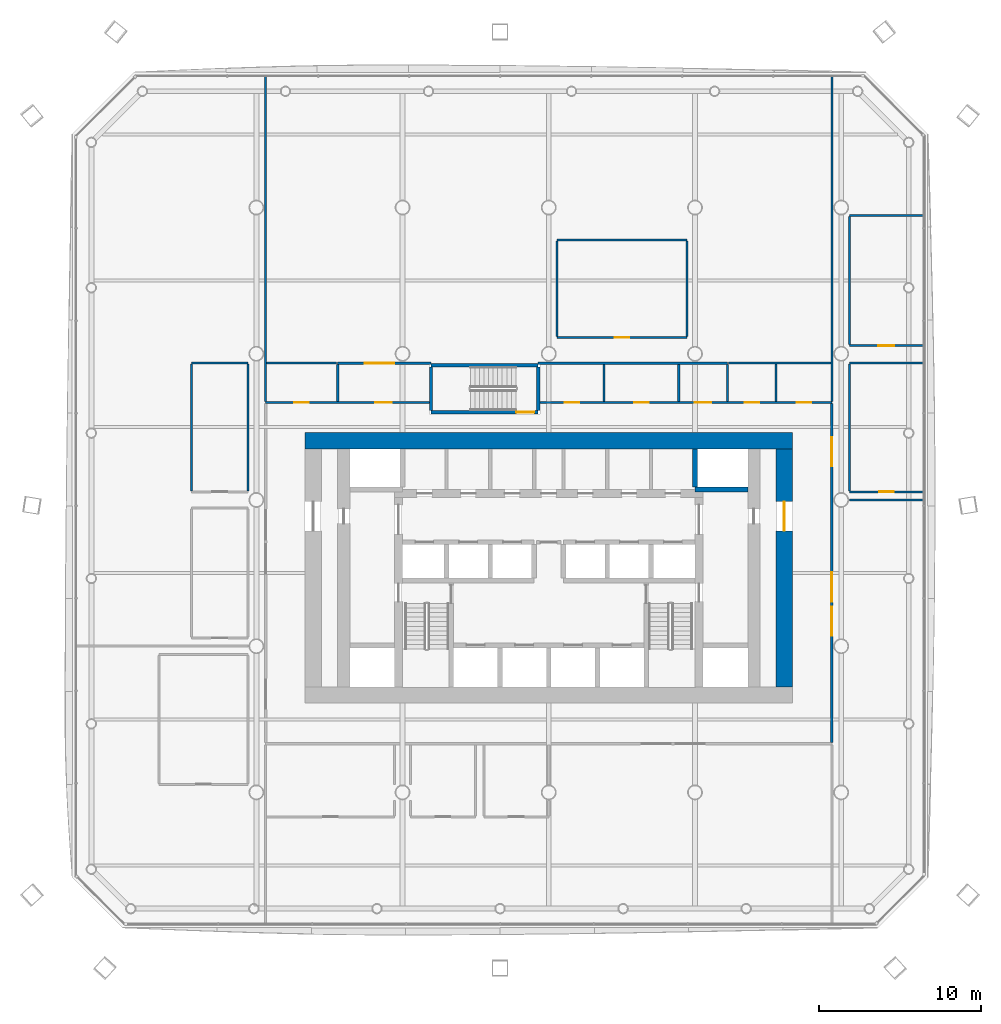
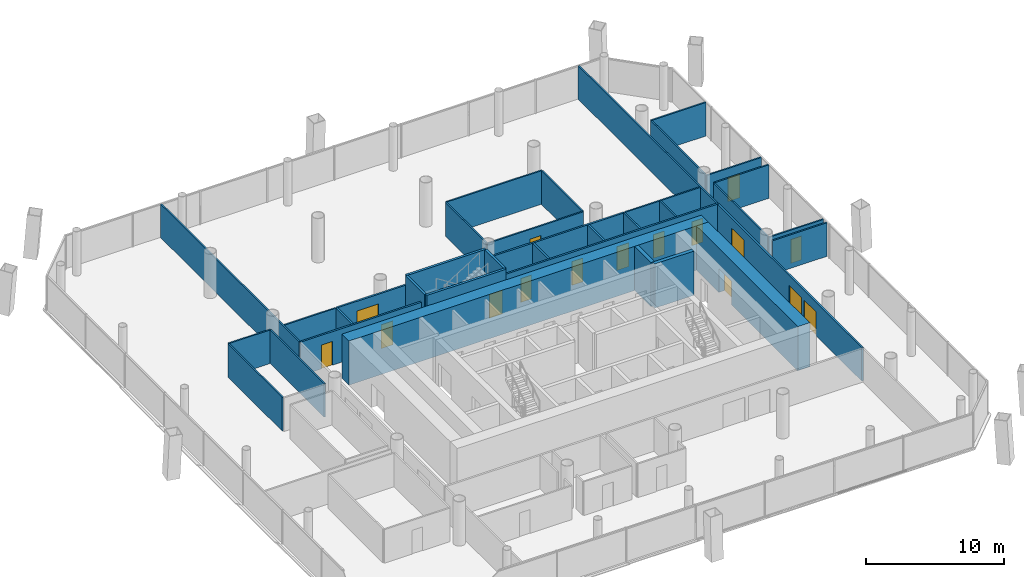
# One storey, part 14 of 20: 36 walls, 16 doors, 16 openings.
"""IFC4 building model written with IfcOpenShell, lengths in metres."""

from ifc_helpers import new_model, si_unit, direction, frame, frame_2d, origin, place, context, subcontext, project, spatial, rectangle, extrude, material, layer, layer_set, type_object, element, fill, save


model = new_model("IFC4")

# Units and contexts
model_context = context("Model", 3, precision=1e-05, world=origin(), true_north=direction((0.0, 1.0)))
body_context = subcontext(model_context, "Body", "Model", "MODEL_VIEW")
ifc_project = project(units=[si_unit("LENGTHUNIT", "METRE"), si_unit("AREAUNIT", "SQUARE_METRE"), si_unit("VOLUMEUNIT", "CUBIC_METRE"), si_unit("PLANEANGLEUNIT", "RADIAN"), si_unit("MASSUNIT", "GRAM", prefix="KILO")], contexts=[model_context])

# Site, building, storey
site_placement = place(None, origin())
site = spatial("IfcSite", under=ifc_project, at=site_placement, CompositionType="ELEMENT")
building_placement = place(site_placement, origin())
building = spatial("IfcBuilding", under=site, at=building_placement, Name="Tskaro Facet Tower", CompositionType="ELEMENT")
storey_placement = place(building_placement, frame((0.0, 0.0, 53.699951171875)))
storey = spatial("IfcBuildingStorey", under=building, at=storey_placement, Name="L12", CompositionType="ELEMENT", Elevation=53.699951171875)

# Walls
ifc_material_1 = material(Name="Concrete C60/75", Category="concrete")
ifc_layer_1 = layer(ifc_material_1, 0.300048828125, Name="Concrete C60/75")
ifc_layer_set_1 = layer_set([ifc_layer_1], Name="Concrete C60/75")
wall_type_1 = type_object("IfcWallType", Name="CORE-SHAFT", PredefinedType="SHEAR", material=ifc_layer_set_1)
wall_1_placement = place(storey_placement, frame((12.25, 0.64990234375, 0.0), z_axis=(0.0, 0.0, 1.0), x_axis=(-1.0, 0.0, 0.0)))
element("IfcWall", 1, at=wall_1_placement, inside=storey, type_object=wall_type_1, Name="Shaft wall W022", PredefinedType="SHEAR", context=body_context, shape_type="SweptSolid", body=[
    extrude(rectangle(XDim=3.25, YDim=0.300048828125, at=frame_2d((1.625, 0.0))), origin(), (0.0, 0.0, 1.0), 3.900146484375),
])
wall_2_placement = place(storey_placement, frame((9.0, 0.800048828125, 0.0), z_axis=(0.0, 0.0, 1.0), x_axis=(0.0, 1.0, 0.0)))
element("IfcWall", 2, at=wall_2_placement, inside=storey, type_object=wall_type_1, Name="Shaft wall W079", PredefinedType="SHEAR", context=body_context, shape_type="SweptSolid", body=[
    extrude(rectangle(XDim=2.349853515625, YDim=0.300048828125, at=frame_2d((1.1748046875, 0.0))), origin(), (0.0, 0.0, 1.0), 3.900146484375),
])
ifc_layer_2 = layer(ifc_material_1, 1.0, Name="Concrete C60/75")
ifc_layer_set_2 = layer_set([ifc_layer_2], Name="Concrete C60/75")
wall_type_2 = type_object("IfcWallType", Name="Core wall 1000", PredefinedType="SHEAR", material=ifc_layer_set_2)
wall_3_placement = place(storey_placement, frame((-15.0, 3.64990234375, 0.0), z_axis=(0.0, 0.0, 1.0), x_axis=(1.0, 0.0, 0.0)))
element("IfcWall", 3, at=wall_3_placement, inside=storey, type_object=wall_type_2, Name="Core wall CW-Z1N", PredefinedType="SHEAR", context=body_context, shape_type="SweptSolid", body=[
    extrude(rectangle(XDim=30.0, YDim=1.0, at=frame_2d((15.0, 0.0))), origin(), (0.0, 0.0, 1.0), 3.900146484375),
])

# Wall, opening, door
wall_4_placement = place(storey_placement, frame((14.5, -11.5, 0.0), z_axis=(0.0, 0.0, 1.0), x_axis=(0.0, 1.0, 0.0)))
wall_4 = element("IfcWall", 4, at=wall_4_placement, inside=storey, type_object=wall_type_2, Name="Core wall CW-Z1E", PredefinedType="SHEAR", context=body_context, shape_type="SweptSolid", body=[
    extrude(rectangle(XDim=14.64990234375, YDim=1.0, at=frame_2d((7.324951171875, 0.0))), origin(), (0.0, 0.0, 1.0), 3.900146484375),
])
opening_1_placement = place(wall_4_placement, frame((9.60009765625, 0.0, 0.0)))
opening_1 = element("IfcOpeningElement", 5, at=opening_1_placement, cuts=wall_4, Name="Opening T3-D20", PredefinedType="OPENING", context=body_context, shape_type="SweptSolid", body=[
    extrude(rectangle(XDim=1.800048828125, YDim=2.10009765625, at=frame_2d((0.89990234375, 1.050048828125))), frame((0.0, 0.510009765625, 0.0), z_axis=(0.0, -1.0, 0.0), x_axis=(1.0, 0.0, 0.0)), (0.0, 0.0, 1.0), 1.02001953125),
])
ifc_material_2 = material(Name="Steel", Category="steel")
door_type_1 = type_object("IfcDoorType", Name="D-CORE-PAIR", OperationType="NOTDEFINED", PredefinedType="DOOR", material=ifc_material_2)
door_1_placement = place(opening_1_placement, origin())
door_1 = element("IfcDoor", 6, at=door_1_placement, inside=storey, type_object=door_type_1, Name="Door T3-D20", OperationType="DOUBLE_DOOR_SINGLE_SWING", OverallHeight=2.10009765625, OverallWidth=1.800048828125, PredefinedType="DOOR", context=body_context, shape_type="SweptSolid", body=[
    extrude(rectangle(XDim=1.800048828125, YDim=2.10009765625, at=frame_2d((0.89990234375, 1.050048828125))), frame((0.0, 0.02490234375, 0.0), z_axis=(0.0, -1.0, 0.0), x_axis=(1.0, 0.0, 0.0)), (0.0, 0.0, 1.0), 0.050048828125),
])
fill(opening_1, door_1)

# Wall
ifc_material_3 = material(Name="Gypsum board on steel studs", Category="steel")
ifc_layer_3 = layer(ifc_material_3, 0.125, Name="Gypsum board on steel studs")
ifc_layer_set_3 = layer_set([ifc_layer_3], Name="Gypsum board on steel studs")
wall_type_3 = type_object("IfcWallType", Name="PART", PredefinedType="PARTITIONING", material=ifc_layer_set_3)
wall_5_placement = place(storey_placement, frame((18.5, 0.0, 0.0), z_axis=(0.0, 0.0, 1.0), x_axis=(1.0, 0.0, 0.0)))
element("IfcWall", 7, at=wall_5_placement, inside=storey, type_object=wall_type_3, Name="Partition W018", PredefinedType="PARTITIONING", context=body_context, shape_type="SweptSolid", body=[
    extrude(rectangle(XDim=4.556884765625, YDim=0.125, at=frame_2d((2.2783203125, 0.0))), origin(), (0.0, 0.0, 1.0), 2.9599609375),
])

# Wall, opening, door
wall_6_placement = place(storey_placement, frame((18.5, 0.5, 0.0), z_axis=(0.0, 0.0, 1.0), x_axis=(1.0, 0.0, 0.0)))
wall_6 = element("IfcWall", 8, at=wall_6_placement, inside=storey, type_object=wall_type_3, Name="Partition W020", PredefinedType="PARTITIONING", context=body_context, shape_type="SweptSolid", body=[
    extrude(rectangle(XDim=4.556884765625, YDim=0.125, at=frame_2d((2.2783203125, 0.0))), origin(), (0.0, 0.0, 1.0), 2.9599609375),
])
opening_2_placement = place(wall_6_placement, frame((1.82861328125, 0.0, 0.0)))
opening_2 = element("IfcOpeningElement", 9, at=opening_2_placement, cuts=wall_6, Name="Opening T3-D29", PredefinedType="OPENING", context=body_context, shape_type="SweptSolid", body=[
    extrude(rectangle(XDim=0.89990234375, YDim=2.10009765625, at=frame_2d((0.449951171875, 1.050048828125))), frame((0.0, 0.072509765625, 0.0), z_axis=(0.0, -1.0, 0.0), x_axis=(1.0, 0.0, 0.0)), (0.0, 0.0, 1.0), 0.14501953125),
])
ifc_material_4 = material(Name="Timber", Category="wood")
door_type_2 = type_object("IfcDoorType", Name="D-ROOM", OperationType="NOTDEFINED", PredefinedType="DOOR", material=ifc_material_4)
door_2_placement = place(opening_2_placement, origin())
door_2 = element("IfcDoor", 10, at=door_2_placement, inside=storey, type_object=door_type_2, Name="Door T3-D29", OperationType="SINGLE_SWING_LEFT", OverallHeight=2.10009765625, OverallWidth=0.89990234375, PredefinedType="DOOR", context=body_context, shape_type="SweptSolid", body=[
    extrude(rectangle(XDim=0.89990234375, YDim=2.10009765625, at=frame_2d((0.449951171875, 1.050048828125))), frame((0.0, 0.02490234375, 0.0), z_axis=(0.0, -1.0, 0.0), x_axis=(1.0, 0.0, 0.0)), (0.0, 0.0, 1.0), 0.050048828125),
])
fill(opening_2, door_2)

# Walls
wall_7_placement = place(storey_placement, frame((-22.0, 8.425048828125, 0.0), z_axis=(0.0, 0.0, 1.0), x_axis=(1.0, 0.0, 0.0)))
element("IfcWall", 11, at=wall_7_placement, inside=storey, type_object=wall_type_3, Name="Partition W027", PredefinedType="PARTITIONING", context=body_context, shape_type="SweptSolid", body=[
    extrude(rectangle(XDim=3.5, YDim=0.125, at=frame_2d((1.75, 0.0))), origin(), (0.0, 0.0, 1.0), 2.9599609375),
])
wall_8_placement = place(storey_placement, frame((-17.362548828125, 8.425048828125, 0.0), z_axis=(0.0, 0.0, 1.0), x_axis=(1.0, 0.0, 0.0)))
element("IfcWall", 12, at=wall_8_placement, inside=storey, type_object=wall_type_3, Name="Partition W028", PredefinedType="PARTITIONING", context=body_context, shape_type="SweptSolid", body=[
    extrude(rectangle(XDim=4.28759765625, YDim=0.125, at=frame_2d((2.143798828125, 0.0))), origin(), (0.0, 0.0, 1.0), 2.9599609375),
])
wall_9_placement = place(storey_placement, frame((11.074951171875, 8.425048828125, 0.0), z_axis=(0.0, 0.0, 1.0), x_axis=(1.0, 0.0, 0.0)))
element("IfcWall", 13, at=wall_9_placement, inside=storey, type_object=wall_type_3, Name="Partition W031", PredefinedType="PARTITIONING", context=body_context, shape_type="SweptSolid", body=[
    extrude(rectangle(XDim=6.28759765625, YDim=0.125, at=frame_2d((3.143798828125, 0.0))), origin(), (0.0, 0.0, 1.0), 2.9599609375),
])
wall_10_placement = place(storey_placement, frame((18.5, 8.425048828125, 0.0), z_axis=(0.0, 0.0, 1.0), x_axis=(1.0, 0.0, 0.0)))
element("IfcWall", 14, at=wall_10_placement, inside=storey, type_object=wall_type_3, Name="Partition W032", PredefinedType="PARTITIONING", context=body_context, shape_type="SweptSolid", body=[
    extrude(rectangle(XDim=4.556884765625, YDim=0.125, at=frame_2d((2.2783203125, 0.0))), origin(), (0.0, 0.0, 1.0), 2.9599609375),
])

# Wall, opening, door
wall_11_placement = place(storey_placement, frame((18.5, 9.5, 0.0), z_axis=(0.0, 0.0, 1.0), x_axis=(1.0, 0.0, 0.0)))
wall_11 = element("IfcWall", 15, at=wall_11_placement, inside=storey, type_object=wall_type_3, Name="Partition W033", PredefinedType="PARTITIONING", context=body_context, shape_type="SweptSolid", body=[
    extrude(rectangle(XDim=4.556884765625, YDim=0.125, at=frame_2d((2.2783203125, 0.0))), origin(), (0.0, 0.0, 1.0), 2.9599609375),
])
opening_3_placement = place(wall_11_placement, frame((1.778564453125, 0.0, 0.0)))
opening_3 = element("IfcOpeningElement", 16, at=opening_3_placement, cuts=wall_11, Name="Opening T3-D41", PredefinedType="OPENING", context=body_context, shape_type="SweptSolid", body=[
    extrude(rectangle(XDim=1.0, YDim=2.10009765625, at=frame_2d((0.5, 1.050048828125))), frame((0.0, 0.072509765625, 0.0), z_axis=(0.0, -1.0, 0.0), x_axis=(1.0, 0.0, 0.0)), (0.0, 0.0, 1.0), 0.14501953125),
])
door_type_3 = type_object("IfcDoorType", Name="D-ROOM-WIDE", OperationType="NOTDEFINED", PredefinedType="DOOR", material=ifc_material_4)
door_3_placement = place(opening_3_placement, origin())
door_3 = element("IfcDoor", 17, at=door_3_placement, inside=storey, type_object=door_type_3, Name="Door T3-D41", OperationType="SINGLE_SWING_LEFT", OverallHeight=2.10009765625, OverallWidth=1.0, PredefinedType="DOOR", context=body_context, shape_type="SweptSolid", body=[
    extrude(rectangle(XDim=1.0, YDim=2.10009765625, at=frame_2d((0.5, 1.050048828125))), frame((0.0, 0.02490234375, 0.0), z_axis=(0.0, -1.0, 0.0), x_axis=(1.0, 0.0, 0.0)), (0.0, 0.0, 1.0), 0.050048828125),
])
fill(opening_3, door_3)

wall_12_placement = place(storey_placement, frame((0.5, 10.0, 0.0), z_axis=(0.0, 0.0, 1.0), x_axis=(1.0, 0.0, 0.0)))
wall_12 = element("IfcWall", 18, at=wall_12_placement, inside=storey, type_object=wall_type_3, Name="Partition W034", PredefinedType="PARTITIONING", context=body_context, shape_type="SweptSolid", body=[
    extrude(rectangle(XDim=8.0, YDim=0.125, at=frame_2d((4.0, 0.0))), origin(), (0.0, 0.0, 1.0), 2.9599609375),
])
opening_4_placement = place(wall_12_placement, frame((3.550048828125, 0.0, 0.0)))
opening_4 = element("IfcOpeningElement", 19, at=opening_4_placement, cuts=wall_12, Name="Opening T3-D42", PredefinedType="OPENING", context=body_context, shape_type="SweptSolid", body=[
    extrude(rectangle(XDim=0.89990234375, YDim=2.10009765625, at=frame_2d((0.449951171875, 1.050048828125))), frame((0.0, 0.072509765625, 0.0), z_axis=(0.0, -1.0, 0.0), x_axis=(1.0, 0.0, 0.0)), (0.0, 0.0, 1.0), 0.14501953125),
])
door_4_placement = place(opening_4_placement, origin())
door_4 = element("IfcDoor", 20, at=door_4_placement, inside=storey, type_object=door_type_2, Name="Door T3-D42", OperationType="SINGLE_SWING_LEFT", OverallHeight=2.10009765625, OverallWidth=0.89990234375, PredefinedType="DOOR", context=body_context, shape_type="SweptSolid", body=[
    extrude(rectangle(XDim=0.89990234375, YDim=2.10009765625, at=frame_2d((0.449951171875, 1.050048828125))), frame((0.0, 0.02490234375, 0.0), z_axis=(0.0, -1.0, 0.0), x_axis=(1.0, 0.0, 0.0)), (0.0, 0.0, 1.0), 0.050048828125),
])
fill(opening_4, door_4)

# Walls
wall_13_placement = place(storey_placement, frame((0.5, 16.0, 0.0), z_axis=(0.0, 0.0, 1.0), x_axis=(1.0, 0.0, 0.0)))
element("IfcWall", 21, at=wall_13_placement, inside=storey, type_object=wall_type_3, Name="Partition W035", PredefinedType="PARTITIONING", context=body_context, shape_type="SweptSolid", body=[
    extrude(rectangle(XDim=8.0, YDim=0.125, at=frame_2d((4.0, 0.0))), origin(), (0.0, 0.0, 1.0), 2.9599609375),
])
wall_14_placement = place(storey_placement, frame((18.5, 17.5, 0.0), z_axis=(0.0, 0.0, 1.0), x_axis=(1.0, 0.0, 0.0)))
element("IfcWall", 22, at=wall_14_placement, inside=storey, type_object=wall_type_3, Name="Partition W036", PredefinedType="PARTITIONING", context=body_context, shape_type="SweptSolid", body=[
    extrude(rectangle(XDim=4.556884765625, YDim=0.125, at=frame_2d((2.2783203125, 0.0))), origin(), (0.0, 0.0, 1.0), 2.9599609375),
])
for number, where, z_axis, x_axis, name in (
    (23, (-22.0, 0.5625, 0.0), (0.0, 0.0, 1.0), (0.0, 1.0, 0.0), "Partition W039"),
    (24, (-18.5, 0.5625, 0.0), (0.0, 0.0, 1.0), (0.0, 1.0, 0.0), "Partition W042"),
):
    element("IfcWall", number, at=place(storey_placement, frame(where, z_axis=z_axis, x_axis=x_axis)), inside=storey, type_object=wall_type_3, Name=name, PredefinedType="PARTITIONING", context=body_context, shape_type="SweptSolid", body=[
        extrude(rectangle(XDim=7.800048828125, YDim=0.125, at=frame_2d((3.89990234375, 0.0))), origin(), (0.0, 0.0, 1.0), 2.9599609375),
    ])
wall_15_placement = place(storey_placement, frame((-17.425048828125, 6.074951171875, 0.0), z_axis=(0.0, 0.0, 1.0), x_axis=(0.0, 1.0, 0.0)))
element("IfcWall", 25, at=wall_15_placement, inside=storey, type_object=wall_type_3, Name="Partition W045", PredefinedType="PARTITIONING", context=body_context, shape_type="SweptSolid", body=[
    extrude(rectangle(XDim=19.98193359375, YDim=0.125, at=frame_2d((9.990966796875, 0.0))), origin(), (0.0, 0.0, 1.0), 2.9599609375),
])
for number, where, z_axis, x_axis, name in (
    (26, (0.5, 10.0625, 0.0), (0.0, 0.0, 1.0), (0.0, 1.0, 0.0), "Partition W067"),
    (27, (8.5, 10.0625, 0.0), (0.0, 0.0, 1.0), (0.0, 1.0, 0.0), "Partition W078"),
):
    element("IfcWall", number, at=place(storey_placement, frame(where, z_axis=z_axis, x_axis=x_axis)), inside=storey, type_object=wall_type_3, Name=name, PredefinedType="PARTITIONING", context=body_context, shape_type="SweptSolid", body=[
        extrude(rectangle(XDim=5.875, YDim=0.125, at=frame_2d((2.9375, 0.0))), origin(), (0.0, 0.0, 1.0), 2.9599609375),
    ])
wall_16_placement = place(storey_placement, frame((14.0, 6.074951171875, 0.0), z_axis=(0.0, 0.0, 1.0), x_axis=(0.0, 1.0, 0.0)))
element("IfcWall", 28, at=wall_16_placement, inside=storey, type_object=wall_type_3, Name="Partition W081", PredefinedType="PARTITIONING", context=body_context, shape_type="SweptSolid", body=[
    extrude(rectangle(XDim=2.28759765625, YDim=0.125, at=frame_2d((1.143798828125, 0.0))), origin(), (0.0, 0.0, 1.0), 2.9599609375),
])
wall_17_placement = place(storey_placement, frame((17.425048828125, 6.074951171875, 0.0), z_axis=(0.0, 0.0, 1.0), x_axis=(0.0, 1.0, 0.0)))
element("IfcWall", 29, at=wall_17_placement, inside=storey, type_object=wall_type_3, Name="Partition W084", PredefinedType="PARTITIONING", context=body_context, shape_type="SweptSolid", body=[
    extrude(rectangle(XDim=19.98193359375, YDim=0.125, at=frame_2d((9.990966796875, 0.0))), origin(), (0.0, 0.0, 1.0), 2.9599609375),
])
wall_18_placement = place(storey_placement, frame((18.5, 0.5625, 0.0), z_axis=(0.0, 0.0, 1.0), x_axis=(0.0, 1.0, 0.0)))
element("IfcWall", 30, at=wall_18_placement, inside=storey, type_object=wall_type_3, Name="Partition W085", PredefinedType="PARTITIONING", context=body_context, shape_type="SweptSolid", body=[
    extrude(rectangle(XDim=7.800048828125, YDim=0.125, at=frame_2d((3.89990234375, 0.0))), origin(), (0.0, 0.0, 1.0), 2.9599609375),
])
wall_19_placement = place(storey_placement, frame((18.5, 9.5625, 0.0), z_axis=(0.0, 0.0, 1.0), x_axis=(0.0, 1.0, 0.0)))
element("IfcWall", 31, at=wall_19_placement, inside=storey, type_object=wall_type_3, Name="Partition W086", PredefinedType="PARTITIONING", context=body_context, shape_type="SweptSolid", body=[
    extrude(rectangle(XDim=7.875, YDim=0.125, at=frame_2d((3.9375, 0.0))), origin(), (0.0, 0.0, 1.0), 2.9599609375),
])

# Wall, openings, doors
ifc_layer_4 = layer(ifc_material_3, 0.14990234375, Name="Gypsum board on steel studs")
ifc_layer_set_4 = layer_set([ifc_layer_4], Name="Gypsum board on steel studs")
wall_type_4 = type_object("IfcWallType", Name="PART-CORR", PredefinedType="PARTITIONING", material=ifc_layer_set_4)
wall_20_placement = place(storey_placement, frame((-7.35009765625, 6.0, 0.0), z_axis=(0.0, 0.0, 1.0), x_axis=(-1.0, 0.0, 0.0)))
wall_20 = element("IfcWall", 32, at=wall_20_placement, inside=storey, type_object=wall_type_4, Name="Corridor wall W024", PredefinedType="PARTITIONING", context=body_context, shape_type="SweptSolid", body=[
    extrude(rectangle(XDim=10.074951171875, YDim=0.14990234375, at=frame_2d((5.03759765625, 0.0))), origin(), (0.0, 0.0, 1.0), 2.9599609375),
])
opening_5_placement = place(wall_20_placement, frame((2.324951171875, 0.0, 0.0)))
opening_5 = element("IfcOpeningElement", 33, at=opening_5_placement, cuts=wall_20, Name="Opening T3-D34", PredefinedType="OPENING", context=body_context, shape_type="SweptSolid", body=[
    extrude(rectangle(XDim=1.0, YDim=2.10009765625, at=frame_2d((0.5, 1.050048828125))), frame((0.0, 0.0849609375, 0.0), z_axis=(0.0, -1.0, 0.0), x_axis=(1.0, 0.0, 0.0)), (0.0, 0.0, 1.0), 0.169921875),
])
opening_6_placement = place(wall_20_placement, frame((7.41259765625, 0.0, 0.0)))
opening_6 = element("IfcOpeningElement", 34, at=opening_6_placement, cuts=wall_20, Name="Opening T3-D33", PredefinedType="OPENING", context=body_context, shape_type="SweptSolid", body=[
    extrude(rectangle(XDim=0.89990234375, YDim=2.10009765625, at=frame_2d((0.449951171875, 1.050048828125))), frame((0.0, 0.0849609375, 0.0), z_axis=(0.0, -1.0, 0.0), x_axis=(1.0, 0.0, 0.0)), (0.0, 0.0, 1.0), 0.169921875),
])
door_type_4 = type_object("IfcDoorType", Name="D-ENTRY", OperationType="NOTDEFINED", PredefinedType="DOOR", material=ifc_material_4)
door_5_placement = place(opening_5_placement, origin())
door_5 = element("IfcDoor", 35, at=door_5_placement, inside=storey, type_object=door_type_4, Name="Door T3-D34", OperationType="SINGLE_SWING_RIGHT", OverallHeight=2.10009765625, OverallWidth=1.0, PredefinedType="DOOR", context=body_context, shape_type="SweptSolid", body=[
    extrude(rectangle(XDim=1.0, YDim=2.10009765625, at=frame_2d((0.5, 1.050048828125))), frame((0.0, 0.02490234375, 0.0), z_axis=(0.0, -1.0, 0.0), x_axis=(1.0, 0.0, 0.0)), (0.0, 0.0, 1.0), 0.050048828125),
])
fill(opening_5, door_5)
door_6_placement = place(opening_6_placement, origin())
door_6 = element("IfcDoor", 36, at=door_6_placement, inside=storey, type_object=door_type_2, Name="Door T3-D33", OperationType="SINGLE_SWING_RIGHT", OverallHeight=2.10009765625, OverallWidth=0.89990234375, PredefinedType="DOOR", context=body_context, shape_type="SweptSolid", body=[
    extrude(rectangle(XDim=0.89990234375, YDim=2.10009765625, at=frame_2d((0.449951171875, 1.050048828125))), frame((0.0, 0.02490234375, 0.0), z_axis=(0.0, -1.0, 0.0), x_axis=(1.0, 0.0, 0.0)), (0.0, 0.0, 1.0), 0.050048828125),
])
fill(opening_6, door_6)

wall_21_placement = place(storey_placement, frame((-0.550048828125, 6.0, 0.0), z_axis=(0.0, 0.0, 1.0), x_axis=(1.0, 0.0, 0.0)))
wall_21 = element("IfcWall", 37, at=wall_21_placement, inside=storey, type_object=wall_type_4, Name="Corridor wall W025", PredefinedType="PARTITIONING", context=body_context, shape_type="SweptSolid", body=[
    extrude(rectangle(XDim=17.97509765625, YDim=0.14990234375, at=frame_2d((8.987548828125, 0.0))), origin(), (0.0, 0.0, 1.0), 2.9599609375),
])
opening_7_placement = place(wall_21_placement, frame((1.52490234375, 0.0, 0.0)))
opening_7 = element("IfcOpeningElement", 38, at=opening_7_placement, cuts=wall_21, Name="Opening T3-D35", PredefinedType="OPENING", context=body_context, shape_type="SweptSolid", body=[
    extrude(rectangle(XDim=0.89990234375, YDim=2.10009765625, at=frame_2d((0.449951171875, 1.050048828125))), frame((0.0, 0.0849609375, 0.0), z_axis=(0.0, -1.0, 0.0), x_axis=(1.0, 0.0, 0.0)), (0.0, 0.0, 1.0), 0.169921875),
])
opening_8_placement = place(wall_21_placement, frame((5.800048828125, 0.0, 0.0)))
opening_8 = element("IfcOpeningElement", 39, at=opening_8_placement, cuts=wall_21, Name="Opening T3-D36", PredefinedType="OPENING", context=body_context, shape_type="SweptSolid", body=[
    extrude(rectangle(XDim=0.89990234375, YDim=2.10009765625, at=frame_2d((0.449951171875, 1.050048828125))), frame((0.0, 0.0849609375, 0.0), z_axis=(0.0, -1.0, 0.0), x_axis=(1.0, 0.0, 0.0)), (0.0, 0.0, 1.0), 0.169921875),
])
opening_9_placement = place(wall_21_placement, frame((9.550048828125, 0.0, 0.0)))
opening_9 = element("IfcOpeningElement", 40, at=opening_9_placement, cuts=wall_21, Name="Opening T3-D37", PredefinedType="OPENING", context=body_context, shape_type="SweptSolid", body=[
    extrude(rectangle(XDim=1.0, YDim=2.10009765625, at=frame_2d((0.5, 1.050048828125))), frame((0.0, 0.0849609375, 0.0), z_axis=(0.0, -1.0, 0.0), x_axis=(1.0, 0.0, 0.0)), (0.0, 0.0, 1.0), 0.169921875),
])
opening_10_placement = place(wall_21_placement, frame((12.60009765625, 0.0, 0.0)))
opening_10 = element("IfcOpeningElement", 41, at=opening_10_placement, cuts=wall_21, Name="Opening T3-D38", PredefinedType="OPENING", context=body_context, shape_type="SweptSolid", body=[
    extrude(rectangle(XDim=0.89990234375, YDim=2.10009765625, at=frame_2d((0.449951171875, 1.050048828125))), frame((0.0, 0.0849609375, 0.0), z_axis=(0.0, -1.0, 0.0), x_axis=(1.0, 0.0, 0.0)), (0.0, 0.0, 1.0), 0.169921875),
])
opening_11_placement = place(wall_21_placement, frame((15.8125, 0.0, 0.0)))
opening_11 = element("IfcOpeningElement", 42, at=opening_11_placement, cuts=wall_21, Name="Opening T3-D39", PredefinedType="OPENING", context=body_context, shape_type="SweptSolid", body=[
    extrude(rectangle(XDim=0.89990234375, YDim=2.10009765625, at=frame_2d((0.449951171875, 1.050048828125))), frame((0.0, 0.0849609375, 0.0), z_axis=(0.0, -1.0, 0.0), x_axis=(1.0, 0.0, 0.0)), (0.0, 0.0, 1.0), 0.169921875),
])
door_7_placement = place(opening_7_placement, origin())
door_7 = element("IfcDoor", 43, at=door_7_placement, inside=storey, type_object=door_type_2, Name="Door T3-D35", OperationType="SINGLE_SWING_LEFT", OverallHeight=2.10009765625, OverallWidth=0.89990234375, PredefinedType="DOOR", context=body_context, shape_type="SweptSolid", body=[
    extrude(rectangle(XDim=0.89990234375, YDim=2.10009765625, at=frame_2d((0.449951171875, 1.050048828125))), frame((0.0, 0.02490234375, 0.0), z_axis=(0.0, -1.0, 0.0), x_axis=(1.0, 0.0, 0.0)), (0.0, 0.0, 1.0), 0.050048828125),
])
fill(opening_7, door_7)
door_8_placement = place(opening_8_placement, origin())
door_8 = element("IfcDoor", 44, at=door_8_placement, inside=storey, type_object=door_type_2, Name="Door T3-D36", OperationType="SINGLE_SWING_LEFT", OverallHeight=2.10009765625, OverallWidth=0.89990234375, PredefinedType="DOOR", context=body_context, shape_type="SweptSolid", body=[
    extrude(rectangle(XDim=0.89990234375, YDim=2.10009765625, at=frame_2d((0.449951171875, 1.050048828125))), frame((0.0, 0.02490234375, 0.0), z_axis=(0.0, -1.0, 0.0), x_axis=(1.0, 0.0, 0.0)), (0.0, 0.0, 1.0), 0.050048828125),
])
fill(opening_8, door_8)
door_9_placement = place(opening_10_placement, origin())
door_9 = element("IfcDoor", 45, at=door_9_placement, inside=storey, type_object=door_type_2, Name="Door T3-D38", OperationType="SINGLE_SWING_LEFT", OverallHeight=2.10009765625, OverallWidth=0.89990234375, PredefinedType="DOOR", context=body_context, shape_type="SweptSolid", body=[
    extrude(rectangle(XDim=0.89990234375, YDim=2.10009765625, at=frame_2d((0.449951171875, 1.050048828125))), frame((0.0, 0.02490234375, 0.0), z_axis=(0.0, -1.0, 0.0), x_axis=(1.0, 0.0, 0.0)), (0.0, 0.0, 1.0), 0.050048828125),
])
fill(opening_10, door_9)
door_10_placement = place(opening_11_placement, origin())
door_10 = element("IfcDoor", 46, at=door_10_placement, inside=storey, type_object=door_type_2, Name="Door T3-D39", OperationType="SINGLE_SWING_LEFT", OverallHeight=2.10009765625, OverallWidth=0.89990234375, PredefinedType="DOOR", context=body_context, shape_type="SweptSolid", body=[
    extrude(rectangle(XDim=0.89990234375, YDim=2.10009765625, at=frame_2d((0.449951171875, 1.050048828125))), frame((0.0, 0.02490234375, 0.0), z_axis=(0.0, -1.0, 0.0), x_axis=(1.0, 0.0, 0.0)), (0.0, 0.0, 1.0), 0.050048828125),
])
fill(opening_11, door_10)
door_11_placement = place(opening_9_placement, origin())
door_11 = element("IfcDoor", 47, at=door_11_placement, inside=storey, type_object=door_type_3, Name="Door T3-D37", OperationType="SINGLE_SWING_LEFT", OverallHeight=2.10009765625, OverallWidth=1.0, PredefinedType="DOOR", context=body_context, shape_type="SweptSolid", body=[
    extrude(rectangle(XDim=1.0, YDim=2.10009765625, at=frame_2d((0.5, 1.050048828125))), frame((0.0, 0.02490234375, 0.0), z_axis=(0.0, -1.0, 0.0), x_axis=(1.0, 0.0, 0.0)), (0.0, 0.0, 1.0), 0.050048828125),
])
fill(opening_9, door_11)

# Wall, opening, door
wall_22_placement = place(storey_placement, frame((-13.0, 8.425048828125, 0.0), z_axis=(0.0, 0.0, 1.0), x_axis=(1.0, 0.0, 0.0)))
wall_22 = element("IfcWall", 48, at=wall_22_placement, inside=storey, type_object=wall_type_4, Name="Corridor wall W029", PredefinedType="PARTITIONING", context=body_context, shape_type="SweptSolid", body=[
    extrude(rectangle(XDim=5.75, YDim=0.14990234375, at=frame_2d((2.875, 0.0))), origin(), (0.0, 0.0, 1.0), 2.9599609375),
])
opening_12_placement = place(wall_22_placement, frame((1.675048828125, 0.0, 0.0)))
opening_12 = element("IfcOpeningElement", 49, at=opening_12_placement, cuts=wall_22, Name="Opening T3-D40", PredefinedType="OPENING", context=body_context, shape_type="SweptSolid", body=[
    extrude(rectangle(XDim=1.800048828125, YDim=2.10009765625, at=frame_2d((0.89990234375, 1.050048828125))), frame((0.0, 0.0849609375, 0.0), z_axis=(0.0, -1.0, 0.0), x_axis=(1.0, 0.0, 0.0)), (0.0, 0.0, 1.0), 0.169921875),
])
ifc_material_5 = material(Name="Glass", Category="glass")
door_type_5 = type_object("IfcDoorType", Name="D-ENTRY-PAIR", OperationType="NOTDEFINED", PredefinedType="DOOR", material=ifc_material_5)
door_12_placement = place(opening_12_placement, origin())
door_12 = element("IfcDoor", 50, at=door_12_placement, inside=storey, type_object=door_type_5, Name="Door T3-D40", OperationType="DOUBLE_DOOR_SINGLE_SWING", OverallHeight=2.10009765625, OverallWidth=1.800048828125, PredefinedType="DOOR", context=body_context, shape_type="SweptSolid", body=[
    extrude(rectangle(XDim=1.800048828125, YDim=2.10009765625, at=frame_2d((0.89990234375, 1.050048828125))), frame((0.0, 0.02490234375, 0.0), z_axis=(0.0, -1.0, 0.0), x_axis=(1.0, 0.0, 0.0)), (0.0, 0.0, 1.0), 0.050048828125),
])
fill(opening_12, door_12)

# Walls
wall_23_placement = place(storey_placement, frame((-0.64990234375, 8.425048828125, 0.0), z_axis=(0.0, 0.0, 1.0), x_axis=(1.0, 0.0, 0.0)))
element("IfcWall", 51, at=wall_23_placement, inside=storey, type_object=wall_type_4, Name="Corridor wall W030", PredefinedType="PARTITIONING", context=body_context, shape_type="SweptSolid", body=[
    extrude(rectangle(XDim=11.64990234375, YDim=0.14990234375, at=frame_2d((5.824951171875, 0.0))), origin(), (0.0, 0.0, 1.0), 2.9599609375),
])
for number, where, z_axis, x_axis, name in (
    (52, (-13.0, 6.074951171875, 0.0), (0.0, 0.0, 1.0), (0.0, 1.0, 0.0), "Corridor wall W046"),
    (53, (3.39990234375, 6.074951171875, 0.0), (0.0, 0.0, 1.0), (0.0, 1.0, 0.0), "Corridor wall W071"),
    (54, (8.0, 6.074951171875, 0.0), (0.0, 0.0, 1.0), (0.0, 1.0, 0.0), "Corridor wall W077"),
    (55, (11.0, 6.074951171875, 0.0), (0.0, 0.0, 1.0), (0.0, 1.0, 0.0), "Corridor wall W080"),
):
    element("IfcWall", number, at=place(storey_placement, frame(where, z_axis=z_axis, x_axis=x_axis)), inside=storey, type_object=wall_type_4, Name=name, PredefinedType="PARTITIONING", context=body_context, shape_type="SweptSolid", body=[
        extrude(rectangle(XDim=2.275146484375, YDim=0.14990234375, at=frame_2d((1.1376953125, 0.0))), origin(), (0.0, 0.0, 1.0), 2.9599609375),
    ])

# Wall, openings, doors
wall_24_placement = place(storey_placement, frame((17.425048828125, -14.925048828125, 0.0), z_axis=(0.0, 0.0, 1.0), x_axis=(0.0, 1.0, 0.0)))
wall_24 = element("IfcWall", 56, at=wall_24_placement, inside=storey, type_object=wall_type_4, Name="Corridor wall W083", PredefinedType="PARTITIONING", context=body_context, shape_type="SweptSolid", body=[
    extrude(rectangle(XDim=20.85009765625, YDim=0.14990234375, at=frame_2d((10.425048828125, 0.0))), origin(), (0.0, 0.0, 1.0), 2.9599609375),
])
opening_13_placement = place(wall_24_placement, frame((6.5625, 0.0, 0.0)))
opening_13 = element("IfcOpeningElement", 57, at=opening_13_placement, cuts=wall_24, Name="Opening T3-D11", PredefinedType="OPENING", context=body_context, shape_type="SweptSolid", body=[
    extrude(rectangle(XDim=1.800048828125, YDim=2.10009765625, at=frame_2d((0.89990234375, 1.050048828125))), frame((0.0, 0.0849609375, 0.0), z_axis=(0.0, -1.0, 0.0), x_axis=(1.0, 0.0, 0.0)), (0.0, 0.0, 1.0), 0.169921875),
])
opening_14_placement = place(wall_24_placement, frame((8.66259765625, 0.0, 0.0)))
opening_14 = element("IfcOpeningElement", 58, at=opening_14_placement, cuts=wall_24, Name="Opening T3-D12", PredefinedType="OPENING", context=body_context, shape_type="SweptSolid", body=[
    extrude(rectangle(XDim=1.800048828125, YDim=2.10009765625, at=frame_2d((0.89990234375, 1.050048828125))), frame((0.0, 0.0849609375, 0.0), z_axis=(0.0, -1.0, 0.0), x_axis=(1.0, 0.0, 0.0)), (0.0, 0.0, 1.0), 0.169921875),
])
opening_15_placement = place(wall_24_placement, frame((16.987548828125, 0.0, 0.0)))
opening_15 = element("IfcOpeningElement", 59, at=opening_15_placement, cuts=wall_24, Name="Opening T3-D32", PredefinedType="OPENING", context=body_context, shape_type="SweptSolid", body=[
    extrude(rectangle(XDim=1.800048828125, YDim=2.10009765625, at=frame_2d((0.89990234375, 1.050048828125))), frame((0.0, 0.0849609375, 0.0), z_axis=(0.0, -1.0, 0.0), x_axis=(1.0, 0.0, 0.0)), (0.0, 0.0, 1.0), 0.169921875),
])
door_13_placement = place(opening_13_placement, origin())
door_13 = element("IfcDoor", 60, at=door_13_placement, inside=storey, type_object=door_type_5, Name="Door T3-D11", OperationType="DOUBLE_DOOR_SINGLE_SWING", OverallHeight=2.10009765625, OverallWidth=1.800048828125, PredefinedType="DOOR", context=body_context, shape_type="SweptSolid", body=[
    extrude(rectangle(XDim=1.800048828125, YDim=2.10009765625, at=frame_2d((0.89990234375, 1.050048828125))), frame((0.0, 0.02490234375, 0.0), z_axis=(0.0, -1.0, 0.0), x_axis=(1.0, 0.0, 0.0)), (0.0, 0.0, 1.0), 0.050048828125),
])
fill(opening_13, door_13)
door_14_placement = place(opening_14_placement, origin())
door_14 = element("IfcDoor", 61, at=door_14_placement, inside=storey, type_object=door_type_5, Name="Door T3-D12", OperationType="DOUBLE_DOOR_SINGLE_SWING", OverallHeight=2.10009765625, OverallWidth=1.800048828125, PredefinedType="DOOR", context=body_context, shape_type="SweptSolid", body=[
    extrude(rectangle(XDim=1.800048828125, YDim=2.10009765625, at=frame_2d((0.89990234375, 1.050048828125))), frame((0.0, 0.02490234375, 0.0), z_axis=(0.0, -1.0, 0.0), x_axis=(1.0, 0.0, 0.0)), (0.0, 0.0, 1.0), 0.050048828125),
])
fill(opening_14, door_14)
door_15_placement = place(opening_15_placement, origin())
door_15 = element("IfcDoor", 62, at=door_15_placement, inside=storey, type_object=door_type_5, Name="Door T3-D32", OperationType="DOUBLE_DOOR_SINGLE_SWING", OverallHeight=2.10009765625, OverallWidth=1.800048828125, PredefinedType="DOOR", context=body_context, shape_type="SweptSolid", body=[
    extrude(rectangle(XDim=1.800048828125, YDim=2.10009765625, at=frame_2d((0.89990234375, 1.050048828125))), frame((0.0, 0.02490234375, 0.0), z_axis=(0.0, -1.0, 0.0), x_axis=(1.0, 0.0, 0.0)), (0.0, 0.0, 1.0), 0.050048828125),
])
fill(opening_15, door_15)

# Wall, opening, door
ifc_layer_5 = layer(ifc_material_1, 0.199951171875, Name="Concrete C60/75")
ifc_layer_set_5 = layer_set([ifc_layer_5], Name="Concrete C60/75")
wall_type_5 = type_object("IfcWallType", Name="STAIR-WALL", PredefinedType="SHEAR", material=ifc_layer_set_5)
wall_25_placement = place(storey_placement, frame((-7.25, 5.39990234375, 0.0), z_axis=(0.0, 0.0, 1.0), x_axis=(1.0, 0.0, 0.0)))
wall_25 = element("IfcWall", 63, at=wall_25_placement, inside=storey, type_object=wall_type_5, Name="Stair wall W023", PredefinedType="SHEAR", context=body_context, shape_type="SweptSolid", body=[
    extrude(rectangle(XDim=6.60009765625, YDim=0.199951171875, at=frame_2d((3.300048828125, 0.0))), origin(), (0.0, 0.0, 1.0), 3.900146484375),
])
opening_16_placement = place(wall_25_placement, frame((5.25, 0.0, 0.0)))
opening_16 = element("IfcOpeningElement", 64, at=opening_16_placement, cuts=wall_25, Name="Opening ST-3-D1", PredefinedType="OPENING", context=body_context, shape_type="SweptSolid", body=[
    extrude(rectangle(XDim=1.10009765625, YDim=2.10009765625, at=frame_2d((0.550048828125, 1.050048828125))), frame((0.0, 0.10986328125, 0.0), z_axis=(0.0, -1.0, 0.0), x_axis=(1.0, 0.0, 0.0)), (0.0, 0.0, 1.0), 0.219970703125),
])
door_type_6 = type_object("IfcDoorType", Name="D-STAIR", OperationType="NOTDEFINED", PredefinedType="DOOR", material=ifc_material_2)
door_16_placement = place(opening_16_placement, origin())
door_16 = element("IfcDoor", 65, at=door_16_placement, inside=storey, type_object=door_type_6, Name="Stair door 3", OperationType="SINGLE_SWING_LEFT", OverallHeight=2.10009765625, OverallWidth=1.10009765625, PredefinedType="DOOR", context=body_context, shape_type="SweptSolid", body=[
    extrude(rectangle(XDim=1.10009765625, YDim=2.10009765625, at=frame_2d((0.550048828125, 1.050048828125))), frame((0.0, 0.02490234375, 0.0), z_axis=(0.0, -1.0, 0.0), x_axis=(1.0, 0.0, 0.0)), (0.0, 0.0, 1.0), 0.050048828125),
])
fill(opening_16, door_16)

# Walls
wall_26_placement = place(storey_placement, frame((-7.25, 8.300048828125, 0.0), z_axis=(0.0, 0.0, 1.0), x_axis=(1.0, 0.0, 0.0)))
element("IfcWall", 66, at=wall_26_placement, inside=storey, type_object=wall_type_5, Name="Stair wall W026", PredefinedType="SHEAR", context=body_context, shape_type="SweptSolid", body=[
    extrude(rectangle(XDim=6.60009765625, YDim=0.199951171875, at=frame_2d((3.300048828125, 0.0))), origin(), (0.0, 0.0, 1.0), 3.900146484375),
])
for number, where, z_axis, x_axis, name in (
    (67, (-7.25, 5.5, 0.0), (0.0, 0.0, 1.0), (0.0, 1.0, 0.0), "Stair wall W052"),
    (68, (-0.64990234375, 5.5, 0.0), (0.0, 0.0, 1.0), (0.0, 1.0, 0.0), "Stair wall W063"),
):
    element("IfcWall", number, at=place(storey_placement, frame(where, z_axis=z_axis, x_axis=x_axis)), inside=storey, type_object=wall_type_5, Name=name, PredefinedType="SHEAR", context=body_context, shape_type="SweptSolid", body=[
        extrude(rectangle(XDim=2.699951171875, YDim=0.199951171875, at=frame_2d((1.35009765625, 0.0))), origin(), (0.0, 0.0, 1.0), 3.900146484375),
    ])

save(model, "model.ifc")
